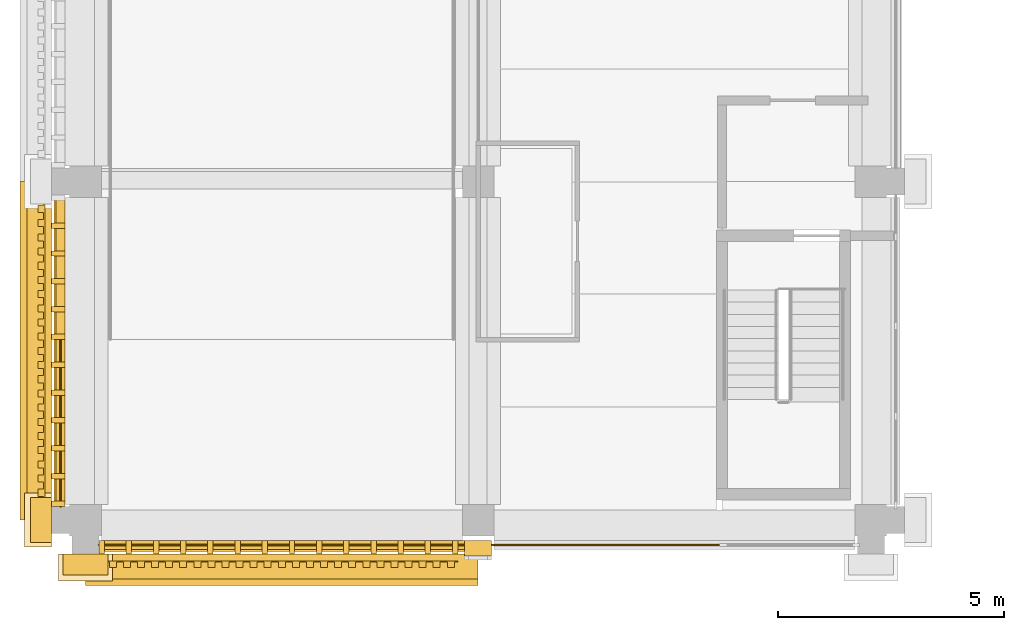
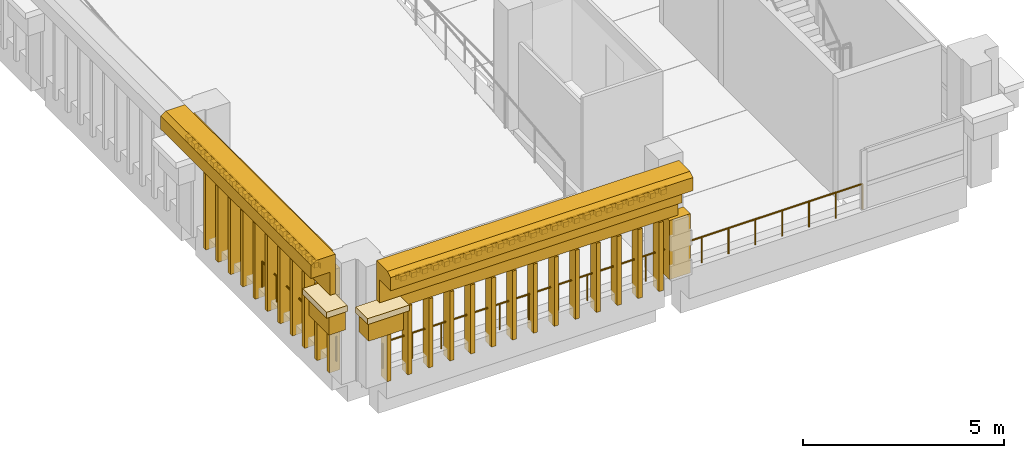
# One storey, part 12 of 25: 36 coverings, 3 railings.
"""IFC4 building model written with IfcOpenShell, lengths in metres."""

from ifc_helpers import new_model, si_unit, direction, frame, origin, origin_2d, place, context, subcontext, project, spatial, polyline, circle, outline, extrude, material, layer, layer_set, type_object, element, save


model = new_model("IFC4")

# Units and contexts
model_context = context("Model", 3, precision=1e-05, world=origin(), true_north=direction((0.0, 1.0)))
body_context = subcontext(model_context, "Body", "Model", "MODEL_VIEW")
ifc_project = project(units=[si_unit("LENGTHUNIT", "METRE"), si_unit("AREAUNIT", "SQUARE_METRE"), si_unit("VOLUMEUNIT", "CUBIC_METRE"), si_unit("PLANEANGLEUNIT", "RADIAN"), si_unit("MASSUNIT", "GRAM", prefix="KILO")], contexts=[model_context])

# Site, building, storey
site_placement = place(None, origin())
site = spatial("IfcSite", under=ifc_project, at=site_placement, CompositionType="ELEMENT")
building_placement = place(site_placement, origin())
building = spatial("IfcBuilding", under=site, at=building_placement, Name="Cour d'Honneur Mobility Palace", CompositionType="ELEMENT")
storey_placement = place(building_placement, frame((0.0, 0.0, 30.39990234375)))
storey = spatial("IfcBuildingStorey", under=building, at=storey_placement, Name="L08", CompositionType="ELEMENT", Elevation=30.39990234375)

# Railings
ifc_material_1 = material(Name="Painted steel", Category="steel")
railing_type = type_object("IfcRailingType", Name="Balustrade", PredefinedType="BALUSTRADE", material=ifc_material_1)
railing_1_placement = place(storey_placement, frame((0.300048828125, -0.550048828125, 0.300048828125)))
element("IfcRailing", 1, at=railing_1_placement, inside=storey, type_object=railing_type, Name="Balustrade BAL-388", PredefinedType="BALUSTRADE", context=body_context, shape_type="SweptSolid", body=[
    extrude(circle(Radius=0.02392578125, at=origin_2d()), frame((0.0, 0.0, 0.77587890625), z_axis=(1.0, 0.0, 0.0), x_axis=(0.0, 1.0, 0.0)), (0.0, 0.0, 1.0), 8.39990234375),
    extrude(circle(Radius=0.02099609375, at=origin_2d()), origin(), (0.0, 0.0, 1.0), 0.751953125),
    extrude(circle(Radius=0.02099609375, at=origin_2d()), frame((0.840087890625, 0.0, 0.0)), (0.0, 0.0, 1.0), 0.751953125),
    extrude(circle(Radius=0.02099609375, at=origin_2d()), frame((1.679931640625, 0.0, 0.0)), (0.0, 0.0, 1.0), 0.751953125),
    extrude(circle(Radius=0.02099609375, at=origin_2d()), frame((2.52001953125, 0.0, 0.0)), (0.0, 0.0, 1.0), 0.751953125),
    extrude(circle(Radius=0.02099609375, at=origin_2d()), frame((3.35986328125, 0.0, 0.0)), (0.0, 0.0, 1.0), 0.751953125),
    extrude(circle(Radius=0.02099609375, at=origin_2d()), frame((4.199951171875, 0.0, 0.0)), (0.0, 0.0, 1.0), 0.751953125),
    extrude(circle(Radius=0.02099609375, at=origin_2d()), frame((5.0400390625, 0.0, 0.0)), (0.0, 0.0, 1.0), 0.751953125),
    extrude(circle(Radius=0.02099609375, at=origin_2d()), frame((5.8798828125, 0.0, 0.0)), (0.0, 0.0, 1.0), 0.751953125),
    extrude(circle(Radius=0.02099609375, at=origin_2d()), frame((6.719970703125, 0.0, 0.0)), (0.0, 0.0, 1.0), 0.751953125),
    extrude(circle(Radius=0.02099609375, at=origin_2d()), frame((7.559814453125, 0.0, 0.0)), (0.0, 0.0, 1.0), 0.751953125),
    extrude(circle(Radius=0.02099609375, at=origin_2d()), frame((8.39990234375, 0.0, 0.0)), (0.0, 0.0, 1.0), 0.751953125),
])
railing_2_placement = place(storey_placement, frame((8.699951171875, -0.550048828125, 0.300048828125)))
element("IfcRailing", 2, at=railing_2_placement, inside=storey, type_object=railing_type, Name="Balustrade BAL-389", PredefinedType="BALUSTRADE", context=body_context, shape_type="SweptSolid", body=[
    extrude(circle(Radius=0.02392578125, at=origin_2d()), frame((0.0, 0.0, 0.77587890625), z_axis=(1.0, 0.0, 0.0), x_axis=(0.0, 1.0, 0.0)), (0.0, 0.0, 1.0), 5.400146484375),
    extrude(circle(Radius=0.02099609375, at=origin_2d()), origin(), (0.0, 0.0, 1.0), 0.751953125),
    extrude(circle(Radius=0.02099609375, at=origin_2d()), frame((0.771484375, 0.0, 0.0)), (0.0, 0.0, 1.0), 0.751953125),
    extrude(circle(Radius=0.02099609375, at=origin_2d()), frame((1.54296875, 0.0, 0.0)), (0.0, 0.0, 1.0), 0.751953125),
    extrude(circle(Radius=0.02099609375, at=origin_2d()), frame((2.314453125, 0.0, 0.0)), (0.0, 0.0, 1.0), 0.751953125),
    extrude(circle(Radius=0.02099609375, at=origin_2d()), frame((3.085693359375, 0.0, 0.0)), (0.0, 0.0, 1.0), 0.751953125),
    extrude(circle(Radius=0.02099609375, at=origin_2d()), frame((3.857177734375, 0.0, 0.0)), (0.0, 0.0, 1.0), 0.751953125),
    extrude(circle(Radius=0.02099609375, at=origin_2d()), frame((4.628662109375, 0.0, 0.0)), (0.0, 0.0, 1.0), 0.751953125),
    extrude(circle(Radius=0.02099609375, at=origin_2d()), frame((5.400146484375, 0.0, 0.0)), (0.0, 0.0, 1.0), 0.751953125),
])
railing_3_placement = place(storey_placement, frame((-0.550048828125, 4.0, 0.300048828125)))
element("IfcRailing", 3, at=railing_3_placement, inside=storey, type_object=railing_type, Name="Balustrade BAL-399", PredefinedType="BALUSTRADE", context=body_context, shape_type="SweptSolid", body=[
    extrude(circle(Radius=0.02392578125, at=origin_2d()), frame((0.0, 0.0, 0.77587890625), z_axis=(0.0, -1.0, 0.0), x_axis=(1.0, 0.0, 0.0)), (0.0, 0.0, 1.0), 3.699951171875),
    extrude(circle(Radius=0.02099609375, at=origin_2d()), origin(), (0.0, 0.0, 1.0), 0.751953125),
    extrude(circle(Radius=0.02099609375, at=origin_2d()), frame((0.0, -0.739990234375, 0.0)), (0.0, 0.0, 1.0), 0.751953125),
    extrude(circle(Radius=0.02099609375, at=origin_2d()), frame((0.0, -1.47998046875, 0.0)), (0.0, 0.0, 1.0), 0.751953125),
    extrude(circle(Radius=0.02099609375, at=origin_2d()), frame((0.0, -2.219970703125, 0.0)), (0.0, 0.0, 1.0), 0.751953125),
    extrude(circle(Radius=0.02099609375, at=origin_2d()), frame((0.0, -2.9599609375, 0.0)), (0.0, 0.0, 1.0), 0.751953125),
    extrude(circle(Radius=0.02099609375, at=origin_2d()), frame((0.0, -3.699951171875, 0.0)), (0.0, 0.0, 1.0), 0.751953125),
])

# Coverings
ifc_material_2 = material(Name="Cast limestone", Category="masonry")
ifc_layer_1 = layer(ifc_material_2, 0.14990234375)
ifc_layer_set_1 = layer_set([ifc_layer_1], Name="Cast limestone")
covering_type_1 = type_object("IfcCoveringType", Name="Dentil course", PredefinedType="CLADDING", material=ifc_layer_set_1)
covering_1_placement = place(storey_placement, frame((0.0, 0.0, 3.150146484375)))
element("IfcCovering", 4, at=covering_1_placement, inside=storey, type_object=covering_type_1, Name="Dentil course DC-124", PredefinedType="CLADDING", context=body_context, shape_type="SweptSolid", body=[
    extrude(outline(polyline([(0.449951171875, -0.89990234375), (8.25, -0.89990234375), (8.25, -0.929931640625), (8.25, -0.929931640625), (8.172119140625, -0.929931640625), (8.172119140625, -1.050048828125), (8.01611328125, -1.050048828125), (8.01611328125, -0.929931640625), (7.93798828125, -0.929931640625), (7.93798828125, -0.929931640625), (7.860107421875, -0.929931640625), (7.860107421875, -1.050048828125), (7.7041015625, -1.050048828125), (7.7041015625, -0.929931640625), (7.6259765625, -0.929931640625), (7.6259765625, -0.929931640625), (7.548095703125, -0.929931640625), (7.548095703125, -1.050048828125), (7.39208984375, -1.050048828125), (7.39208984375, -0.929931640625), (7.31396484375, -0.929931640625), (7.31396484375, -0.929931640625), (7.236083984375, -0.929931640625), (7.236083984375, -1.050048828125), (7.080078125, -1.050048828125), (7.080078125, -0.929931640625), (7.001953125, -0.929931640625), (7.001953125, -0.929931640625), (6.924072265625, -0.929931640625), (6.924072265625, -1.050048828125), (6.76806640625, -1.050048828125), (6.76806640625, -0.929931640625), (6.68994140625, -0.929931640625), (6.68994140625, -0.929931640625), (6.612060546875, -0.929931640625), (6.612060546875, -1.050048828125), (6.4560546875, -1.050048828125), (6.4560546875, -0.929931640625), (6.3779296875, -0.929931640625), (6.3779296875, -0.929931640625), (6.300048828125, -0.929931640625), (6.300048828125, -1.050048828125), (6.14404296875, -1.050048828125), (6.14404296875, -0.929931640625), (6.06591796875, -0.929931640625), (6.06591796875, -0.929931640625), (5.988037109375, -0.929931640625), (5.988037109375, -1.050048828125), (5.83203125, -1.050048828125), (5.83203125, -0.929931640625), (5.75390625, -0.929931640625), (5.75390625, -0.929931640625), (5.676025390625, -0.929931640625), (5.676025390625, -1.050048828125), (5.52001953125, -1.050048828125), (5.52001953125, -0.929931640625), (5.44189453125, -0.929931640625), (5.44189453125, -0.929931640625), (5.364013671875, -0.929931640625), (5.364013671875, -1.050048828125), (5.2080078125, -1.050048828125), (5.2080078125, -0.929931640625), (5.1298828125, -0.929931640625), (5.1298828125, -0.929931640625), (5.052001953125, -0.929931640625), (5.052001953125, -1.050048828125), (4.89599609375, -1.050048828125), (4.89599609375, -0.929931640625), (4.818115234375, -0.929931640625), (4.818115234375, -0.929931640625), (4.739990234375, -0.929931640625), (4.739990234375, -1.050048828125), (4.583984375, -1.050048828125), (4.583984375, -0.929931640625), (4.506103515625, -0.929931640625), (4.506103515625, -0.929931640625), (4.427978515625, -0.929931640625), (4.427978515625, -1.050048828125), (4.27197265625, -1.050048828125), (4.27197265625, -0.929931640625), (4.194091796875, -0.929931640625), (4.194091796875, -0.929931640625), (4.115966796875, -0.929931640625), (4.115966796875, -1.050048828125), (3.9599609375, -1.050048828125), (3.9599609375, -0.929931640625), (3.882080078125, -0.929931640625), (3.882080078125, -0.929931640625), (3.803955078125, -0.929931640625), (3.803955078125, -1.050048828125), (3.64794921875, -1.050048828125), (3.64794921875, -0.929931640625), (3.570068359375, -0.929931640625), (3.570068359375, -0.929931640625), (3.491943359375, -0.929931640625), (3.491943359375, -1.050048828125), (3.3359375, -1.050048828125), (3.3359375, -0.929931640625), (3.258056640625, -0.929931640625), (3.258056640625, -0.929931640625), (3.179931640625, -0.929931640625), (3.179931640625, -1.050048828125), (3.02392578125, -1.050048828125), (3.02392578125, -0.929931640625), (2.946044921875, -0.929931640625), (2.946044921875, -0.929931640625), (2.867919921875, -0.929931640625), (2.867919921875, -1.050048828125), (2.7119140625, -1.050048828125), (2.7119140625, -0.929931640625), (2.634033203125, -0.929931640625), (2.634033203125, -0.929931640625), (2.555908203125, -0.929931640625), (2.555908203125, -1.050048828125), (2.39990234375, -1.050048828125), (2.39990234375, -0.929931640625), (2.322021484375, -0.929931640625), (2.322021484375, -0.929931640625), (2.243896484375, -0.929931640625), (2.243896484375, -1.050048828125), (2.087890625, -1.050048828125), (2.087890625, -0.929931640625), (2.010009765625, -0.929931640625), (2.010009765625, -0.929931640625), (1.931884765625, -0.929931640625), (1.931884765625, -1.050048828125), (1.77587890625, -1.050048828125), (1.77587890625, -0.929931640625), (1.697998046875, -0.929931640625), (1.697998046875, -0.929931640625), (1.6201171875, -0.929931640625), (1.6201171875, -1.050048828125), (1.464111328125, -1.050048828125), (1.464111328125, -0.929931640625), (1.385986328125, -0.929931640625), (1.385986328125, -0.929931640625), (1.30810546875, -0.929931640625), (1.30810546875, -1.050048828125), (1.152099609375, -1.050048828125), (1.152099609375, -0.929931640625), (1.073974609375, -0.929931640625), (1.073974609375, -0.929931640625), (0.99609375, -0.929931640625), (0.99609375, -1.050048828125), (0.840087890625, -1.050048828125), (0.840087890625, -0.929931640625), (0.761962890625, -0.929931640625), (0.761962890625, -0.929931640625), (0.68408203125, -0.929931640625), (0.68408203125, -1.050048828125), (0.528076171875, -1.050048828125), (0.528076171875, -0.929931640625), (0.449951171875, -0.929931640625), (0.449951171875, -0.89990234375)])), origin(), (0.0, 0.0, 1.0), 0.14990234375),
])
covering_2_placement = place(storey_placement, frame((0.0, 0.0, 3.150146484375)))
element("IfcCovering", 5, at=covering_2_placement, inside=storey, type_object=covering_type_1, Name="Dentil course DC-132", PredefinedType="CLADDING", context=body_context, shape_type="SweptSolid", body=[
    extrude(outline(polyline([(-0.89990234375, 7.050048828125), (-0.89990234375, 0.449951171875), (-0.929931640625, 0.449951171875), (-0.929931640625, 0.449951171875), (-0.929931640625, 0.528564453125), (-1.050048828125, 0.528564453125), (-1.050048828125, 0.685791015625), (-0.929931640625, 0.685791015625), (-0.929931640625, 0.764404296875), (-0.929931640625, 0.764404296875), (-0.929931640625, 0.8427734375), (-1.050048828125, 0.8427734375), (-1.050048828125, 1.0), (-0.929931640625, 1.0), (-0.929931640625, 1.07861328125), (-0.929931640625, 1.07861328125), (-0.929931640625, 1.1572265625), (-1.050048828125, 1.1572265625), (-1.050048828125, 1.314208984375), (-0.929931640625, 1.314208984375), (-0.929931640625, 1.392822265625), (-0.929931640625, 1.392822265625), (-0.929931640625, 1.471435546875), (-1.050048828125, 1.471435546875), (-1.050048828125, 1.628662109375), (-0.929931640625, 1.628662109375), (-0.929931640625, 1.70703125), (-0.929931640625, 1.70703125), (-0.929931640625, 1.78564453125), (-1.050048828125, 1.78564453125), (-1.050048828125, 1.94287109375), (-0.929931640625, 1.94287109375), (-0.929931640625, 2.021484375), (-0.929931640625, 2.021484375), (-0.929931640625, 2.10009765625), (-1.050048828125, 2.10009765625), (-1.050048828125, 2.257080078125), (-0.929931640625, 2.257080078125), (-0.929931640625, 2.335693359375), (-0.929931640625, 2.335693359375), (-0.929931640625, 2.414306640625), (-1.050048828125, 2.414306640625), (-1.050048828125, 2.571533203125), (-0.929931640625, 2.571533203125), (-0.929931640625, 2.64990234375), (-0.929931640625, 2.64990234375), (-0.929931640625, 2.728515625), (-1.050048828125, 2.728515625), (-1.050048828125, 2.8857421875), (-0.929931640625, 2.8857421875), (-0.929931640625, 2.96435546875), (-0.929931640625, 2.96435546875), (-0.929931640625, 3.04296875), (-1.050048828125, 3.04296875), (-1.050048828125, 3.199951171875), (-0.929931640625, 3.199951171875), (-0.929931640625, 3.278564453125), (-0.929931640625, 3.278564453125), (-0.929931640625, 3.357177734375), (-1.050048828125, 3.357177734375), (-1.050048828125, 3.514404296875), (-0.929931640625, 3.514404296875), (-0.929931640625, 3.5927734375), (-0.929931640625, 3.5927734375), (-0.929931640625, 3.67138671875), (-1.050048828125, 3.67138671875), (-1.050048828125, 3.82861328125), (-0.929931640625, 3.82861328125), (-0.929931640625, 3.9072265625), (-0.929931640625, 3.9072265625), (-0.929931640625, 3.985595703125), (-1.050048828125, 3.985595703125), (-1.050048828125, 4.142822265625), (-0.929931640625, 4.142822265625), (-0.929931640625, 4.221435546875), (-0.929931640625, 4.221435546875), (-0.929931640625, 4.300048828125), (-1.050048828125, 4.300048828125), (-1.050048828125, 4.45703125), (-0.929931640625, 4.45703125), (-0.929931640625, 4.53564453125), (-0.929931640625, 4.53564453125), (-0.929931640625, 4.6142578125), (-1.050048828125, 4.6142578125), (-1.050048828125, 4.771484375), (-0.929931640625, 4.771484375), (-0.929931640625, 4.85009765625), (-0.929931640625, 4.85009765625), (-0.929931640625, 4.928466796875), (-1.050048828125, 4.928466796875), (-1.050048828125, 5.085693359375), (-0.929931640625, 5.085693359375), (-0.929931640625, 5.164306640625), (-0.929931640625, 5.164306640625), (-0.929931640625, 5.242919921875), (-1.050048828125, 5.242919921875), (-1.050048828125, 5.39990234375), (-0.929931640625, 5.39990234375), (-0.929931640625, 5.478515625), (-0.929931640625, 5.478515625), (-0.929931640625, 5.55712890625), (-1.050048828125, 5.55712890625), (-1.050048828125, 5.71435546875), (-0.929931640625, 5.71435546875), (-0.929931640625, 5.79296875), (-0.929931640625, 5.79296875), (-0.929931640625, 5.871337890625), (-1.050048828125, 5.871337890625), (-1.050048828125, 6.028564453125), (-0.929931640625, 6.028564453125), (-0.929931640625, 6.107177734375), (-0.929931640625, 6.107177734375), (-0.929931640625, 6.185791015625), (-1.050048828125, 6.185791015625), (-1.050048828125, 6.3427734375), (-0.929931640625, 6.3427734375), (-0.929931640625, 6.42138671875), (-0.929931640625, 6.42138671875), (-0.929931640625, 6.5), (-1.050048828125, 6.5), (-1.050048828125, 6.6572265625), (-0.929931640625, 6.6572265625), (-0.929931640625, 6.735595703125), (-0.929931640625, 6.735595703125), (-0.929931640625, 6.814208984375), (-1.050048828125, 6.814208984375), (-1.050048828125, 6.971435546875), (-0.929931640625, 6.971435546875), (-0.929931640625, 7.050048828125), (-0.89990234375, 7.050048828125)])), origin(), (0.0, 0.0, 1.0), 0.14990234375),
])
ifc_material_3 = material(Name="Cast limestone", Category="masonry")
ifc_layer_2 = layer(ifc_material_3, 0.699951171875)
ifc_layer_set_2 = layer_set([ifc_layer_2], Name="Cast limestone")
covering_type_2 = type_object("IfcCoveringType", Name="Entablature", PredefinedType="CLADDING", material=ifc_layer_set_2)
covering_3_placement = place(storey_placement, frame((0.0, -0.75, 2.60009765625), z_axis=(-1.0, 0.0, 0.0), x_axis=(0.0, -1.0, 0.0)))
element("IfcCovering", 6, at=covering_3_placement, inside=storey, type_object=covering_type_2, Name="Entablature EN-124", PredefinedType="CLADDING", context=body_context, shape_type="SweptSolid", body=[
    extrude(outline(polyline([(0.0, 0.0), (0.14990234375, 0.0), (0.14990234375, 0.699951171875), (0.699951171875, 0.699951171875), (0.699951171875, 1.10009765625), (0.550048828125, 1.199951171875), (0.0, 1.199951171875), (0.0, 0.0)])), origin(), (0.0, 0.0, -1.0), 8.699951171875),
])
covering_4_placement = place(storey_placement, frame((-0.75, 7.5, 2.60009765625), z_axis=(0.0, 1.0, 0.0), x_axis=(-1.0, 0.0, 0.0)))
element("IfcCovering", 7, at=covering_4_placement, inside=storey, type_object=covering_type_2, Name="Entablature EN-132", PredefinedType="CLADDING", context=body_context, shape_type="SweptSolid", body=[
    extrude(outline(polyline([(0.0, 0.0), (0.14990234375, 0.0), (0.14990234375, 0.699951171875), (0.699951171875, 0.699951171875), (0.699951171875, 1.10009765625), (0.550048828125, 1.199951171875), (0.0, 1.199951171875), (0.0, 0.0)])), origin(), (0.0, 0.0, -1.0), 7.5),
])
ifc_material_4 = material(Name="Cast limestone", Category="masonry")
ifc_layer_3 = layer(ifc_material_4, 0.35009765625)
ifc_layer_set_3 = layer_set([ifc_layer_3], Name="Cast limestone")
covering_type_3 = type_object("IfcCoveringType", Name="Pier pilaster", PredefinedType="CLADDING", material=ifc_layer_set_3)
covering_5_placement = place(storey_placement, frame((0.0, 0.0, 0.300048828125)))
element("IfcCovering", 8, at=covering_5_placement, inside=storey, type_object=covering_type_3, Name="Pier pilaster PN-15", PredefinedType="CLADDING", context=body_context, shape_type="SweptSolid", body=[
    extrude(outline(polyline([(8.39990234375, -0.449951171875), (9.0, -0.449951171875), (9.0, -0.800048828125), (8.39990234375, -0.800048828125), (8.39990234375, -0.449951171875)])), origin(), (0.0, 0.0, 1.0), 1.800048828125),
])
ifc_material_5 = material(Name="Cast limestone", Category="masonry")
ifc_layer_4 = layer(ifc_material_5, 0.1201171875)
ifc_layer_set_4 = layer_set([ifc_layer_4], Name="Cast limestone")
covering_type_4 = type_object("IfcCoveringType", Name="Pilaster capital", PredefinedType="CLADDING", material=ifc_layer_set_4)
covering_6_placement = place(storey_placement, frame((0.0, 0.0, 1.800048828125)))
element("IfcCovering", 9, at=covering_6_placement, inside=storey, type_object=covering_type_4, Name="Pilaster capital PK-1", PredefinedType="CLADDING", context=body_context, shape_type="SweptSolid", body=[
    extrude(outline(polyline([(-0.5, -0.75), (0.5, -0.75), (0.5, -1.219970703125), (-0.5, -1.219970703125), (-0.5, -0.75)])), origin(), (0.0, 0.0, 1.0), 0.6201171875),
])
covering_7_placement = place(storey_placement, frame((0.0, 0.0, 2.420166015625)))
element("IfcCovering", 10, at=covering_7_placement, inside=storey, type_object=covering_type_4, Name="Pilaster capital PK-2", PredefinedType="CLADDING", context=body_context, shape_type="SweptSolid", body=[
    extrude(outline(polyline([(-0.60009765625, -0.75), (0.60009765625, -0.75), (0.60009765625, -1.35009765625), (-0.60009765625, -1.35009765625), (-0.60009765625, -0.75)])), origin(), (0.0, 0.0, 1.0), 0.179931640625),
])
covering_8_placement = place(storey_placement, frame((0.0, 0.0, 1.800048828125)))
element("IfcCovering", 11, at=covering_8_placement, inside=storey, type_object=covering_type_4, Name="Pilaster capital PK-207", PredefinedType="CLADDING", context=body_context, shape_type="SweptSolid", body=[
    extrude(outline(polyline([(-0.75, 0.5), (-0.75, -0.5), (-1.219970703125, -0.5), (-1.219970703125, 0.5), (-0.75, 0.5)])), origin(), (0.0, 0.0, 1.0), 0.6201171875),
])
covering_9_placement = place(storey_placement, frame((0.0, 0.0, 2.420166015625)))
element("IfcCovering", 12, at=covering_9_placement, inside=storey, type_object=covering_type_4, Name="Pilaster capital PK-208", PredefinedType="CLADDING", context=body_context, shape_type="SweptSolid", body=[
    extrude(outline(polyline([(-0.75, 0.60009765625), (-0.75, -0.60009765625), (-1.35009765625, -0.60009765625), (-1.35009765625, 0.60009765625), (-0.75, 0.60009765625)])), origin(), (0.0, 0.0, 1.0), 0.179931640625),
])
ifc_material_6 = material(Name="Cast limestone", Category="masonry")
ifc_layer_5 = layer(ifc_material_6, 0.1201171875)
ifc_layer_set_5 = layer_set([ifc_layer_5], Name="Cast limestone")
covering_type_5 = type_object("IfcCoveringType", Name="Ramp screen fin", PredefinedType="CLADDING", material=ifc_layer_set_5)
covering_10_placement = place(storey_placement, origin())
element("IfcCovering", 13, at=covering_10_placement, inside=storey, type_object=covering_type_5, Name="Ramp screen fin S0.0 L08 1", PredefinedType="CLADDING", context=body_context, shape_type="SweptSolid", body=[
    extrude(outline(polyline([(0.300048828125, -0.449951171875), (0.419921875, -0.449951171875), (0.419921875, -0.75), (0.300048828125, -0.75), (0.300048828125, -0.449951171875)])), origin(), (0.0, 0.0, 1.0), 2.10009765625),
])
covering_11_placement = place(storey_placement, origin())
element("IfcCovering", 14, at=covering_11_placement, inside=storey, type_object=covering_type_5, Name="Ramp screen fin S0.0 L08 2", PredefinedType="CLADDING", context=body_context, shape_type="SweptSolid", body=[
    extrude(outline(polyline([(0.90234375, -0.449951171875), (1.022216796875, -0.449951171875), (1.022216796875, -0.75), (0.90234375, -0.75), (0.90234375, -0.449951171875)])), origin(), (0.0, 0.0, 1.0), 2.10009765625),
])
covering_12_placement = place(storey_placement, origin())
element("IfcCovering", 15, at=covering_12_placement, inside=storey, type_object=covering_type_5, Name="Ramp screen fin S0.0 L08 3", PredefinedType="CLADDING", context=body_context, shape_type="SweptSolid", body=[
    extrude(outline(polyline([(1.504638671875, -0.449951171875), (1.62451171875, -0.449951171875), (1.62451171875, -0.75), (1.504638671875, -0.75), (1.504638671875, -0.449951171875)])), origin(), (0.0, 0.0, 1.0), 2.10009765625),
])
covering_13_placement = place(storey_placement, origin())
element("IfcCovering", 16, at=covering_13_placement, inside=storey, type_object=covering_type_5, Name="Ramp screen fin S0.0 L08 4", PredefinedType="CLADDING", context=body_context, shape_type="SweptSolid", body=[
    extrude(outline(polyline([(2.10693359375, -0.449951171875), (2.226806640625, -0.449951171875), (2.226806640625, -0.75), (2.10693359375, -0.75), (2.10693359375, -0.449951171875)])), origin(), (0.0, 0.0, 1.0), 2.10009765625),
])
covering_14_placement = place(storey_placement, origin())
element("IfcCovering", 17, at=covering_14_placement, inside=storey, type_object=covering_type_5, Name="Ramp screen fin S0.0 L08 5", PredefinedType="CLADDING", context=body_context, shape_type="SweptSolid", body=[
    extrude(outline(polyline([(2.709228515625, -0.449951171875), (2.829345703125, -0.449951171875), (2.829345703125, -0.75), (2.709228515625, -0.75), (2.709228515625, -0.449951171875)])), origin(), (0.0, 0.0, 1.0), 2.10009765625),
])
covering_15_placement = place(storey_placement, origin())
element("IfcCovering", 18, at=covering_15_placement, inside=storey, type_object=covering_type_5, Name="Ramp screen fin S0.0 L08 6", PredefinedType="CLADDING", context=body_context, shape_type="SweptSolid", body=[
    extrude(outline(polyline([(3.3115234375, -0.449951171875), (3.431640625, -0.449951171875), (3.431640625, -0.75), (3.3115234375, -0.75), (3.3115234375, -0.449951171875)])), origin(), (0.0, 0.0, 1.0), 2.10009765625),
])
covering_16_placement = place(storey_placement, origin())
element("IfcCovering", 19, at=covering_16_placement, inside=storey, type_object=covering_type_5, Name="Ramp screen fin S0.0 L08 7", PredefinedType="CLADDING", context=body_context, shape_type="SweptSolid", body=[
    extrude(outline(polyline([(3.913818359375, -0.449951171875), (4.033935546875, -0.449951171875), (4.033935546875, -0.75), (3.913818359375, -0.75), (3.913818359375, -0.449951171875)])), origin(), (0.0, 0.0, 1.0), 2.10009765625),
])
covering_17_placement = place(storey_placement, origin())
element("IfcCovering", 20, at=covering_17_placement, inside=storey, type_object=covering_type_5, Name="Ramp screen fin S0.0 L08 8", PredefinedType="CLADDING", context=body_context, shape_type="SweptSolid", body=[
    extrude(outline(polyline([(4.51611328125, -0.449951171875), (4.63623046875, -0.449951171875), (4.63623046875, -0.75), (4.51611328125, -0.75), (4.51611328125, -0.449951171875)])), origin(), (0.0, 0.0, 1.0), 2.10009765625),
])
covering_18_placement = place(storey_placement, origin())
element("IfcCovering", 21, at=covering_18_placement, inside=storey, type_object=covering_type_5, Name="Ramp screen fin S0.0 L08 9", PredefinedType="CLADDING", context=body_context, shape_type="SweptSolid", body=[
    extrude(outline(polyline([(5.118408203125, -0.449951171875), (5.238525390625, -0.449951171875), (5.238525390625, -0.75), (5.118408203125, -0.75), (5.118408203125, -0.449951171875)])), origin(), (0.0, 0.0, 1.0), 2.10009765625),
])
covering_19_placement = place(storey_placement, origin())
element("IfcCovering", 22, at=covering_19_placement, inside=storey, type_object=covering_type_5, Name="Ramp screen fin S0.0 L08 10", PredefinedType="CLADDING", context=body_context, shape_type="SweptSolid", body=[
    extrude(outline(polyline([(5.720703125, -0.449951171875), (5.8408203125, -0.449951171875), (5.8408203125, -0.75), (5.720703125, -0.75), (5.720703125, -0.449951171875)])), origin(), (0.0, 0.0, 1.0), 2.10009765625),
])
covering_20_placement = place(storey_placement, origin())
element("IfcCovering", 23, at=covering_20_placement, inside=storey, type_object=covering_type_5, Name="Ramp screen fin S0.0 L08 11", PredefinedType="CLADDING", context=body_context, shape_type="SweptSolid", body=[
    extrude(outline(polyline([(6.322998046875, -0.449951171875), (6.443115234375, -0.449951171875), (6.443115234375, -0.75), (6.322998046875, -0.75), (6.322998046875, -0.449951171875)])), origin(), (0.0, 0.0, 1.0), 2.10009765625),
])
covering_21_placement = place(storey_placement, origin())
element("IfcCovering", 24, at=covering_21_placement, inside=storey, type_object=covering_type_5, Name="Ramp screen fin S0.0 L08 12", PredefinedType="CLADDING", context=body_context, shape_type="SweptSolid", body=[
    extrude(outline(polyline([(6.92529296875, -0.449951171875), (7.04541015625, -0.449951171875), (7.04541015625, -0.75), (6.92529296875, -0.75), (6.92529296875, -0.449951171875)])), origin(), (0.0, 0.0, 1.0), 2.10009765625),
])
covering_22_placement = place(storey_placement, origin())
element("IfcCovering", 25, at=covering_22_placement, inside=storey, type_object=covering_type_5, Name="Ramp screen fin S0.0 L08 13", PredefinedType="CLADDING", context=body_context, shape_type="SweptSolid", body=[
    extrude(outline(polyline([(7.527587890625, -0.449951171875), (7.647705078125, -0.449951171875), (7.647705078125, -0.75), (7.527587890625, -0.75), (7.527587890625, -0.449951171875)])), origin(), (0.0, 0.0, 1.0), 2.10009765625),
])
covering_23_placement = place(storey_placement, origin())
element("IfcCovering", 26, at=covering_23_placement, inside=storey, type_object=covering_type_5, Name="Ramp screen fin S0.0 L08 14", PredefinedType="CLADDING", context=body_context, shape_type="SweptSolid", body=[
    extrude(outline(polyline([(8.1298828125, -0.449951171875), (8.25, -0.449951171875), (8.25, -0.75), (8.1298828125, -0.75), (8.1298828125, -0.449951171875)])), origin(), (0.0, 0.0, 1.0), 2.10009765625),
])
covering_24_placement = place(storey_placement, origin())
element("IfcCovering", 27, at=covering_24_placement, inside=storey, type_object=covering_type_5, Name="Ramp screen fin W3.6 L08 2", PredefinedType="CLADDING", context=body_context, shape_type="SweptSolid", body=[
    extrude(outline(polyline([(-0.449951171875, 6.583740234375), (-0.449951171875, 6.463623046875), (-0.75, 6.463623046875), (-0.75, 6.583740234375), (-0.449951171875, 6.583740234375)])), origin(), (0.0, 0.0, 1.0), 2.300048828125),
])
covering_25_placement = place(storey_placement, origin())
element("IfcCovering", 28, at=covering_25_placement, inside=storey, type_object=covering_type_5, Name="Ramp screen fin W3.6 L08 3", PredefinedType="CLADDING", context=body_context, shape_type="SweptSolid", body=[
    extrude(outline(polyline([(-0.449951171875, 5.96728515625), (-0.449951171875, 5.84716796875), (-0.75, 5.84716796875), (-0.75, 5.96728515625), (-0.449951171875, 5.96728515625)])), origin(), (0.0, 0.0, 1.0), 2.300048828125),
])
covering_26_placement = place(storey_placement, origin())
element("IfcCovering", 29, at=covering_26_placement, inside=storey, type_object=covering_type_5, Name="Ramp screen fin W3.6 L08 4", PredefinedType="CLADDING", context=body_context, shape_type="SweptSolid", body=[
    extrude(outline(polyline([(-0.449951171875, 5.350830078125), (-0.449951171875, 5.23095703125), (-0.75, 5.23095703125), (-0.75, 5.350830078125), (-0.449951171875, 5.350830078125)])), origin(), (0.0, 0.0, 1.0), 2.300048828125),
])
covering_27_placement = place(storey_placement, origin())
element("IfcCovering", 30, at=covering_27_placement, inside=storey, type_object=covering_type_5, Name="Ramp screen fin W3.6 L08 5", PredefinedType="CLADDING", context=body_context, shape_type="SweptSolid", body=[
    extrude(outline(polyline([(-0.449951171875, 4.734619140625), (-0.449951171875, 4.614501953125), (-0.75, 4.614501953125), (-0.75, 4.734619140625), (-0.449951171875, 4.734619140625)])), origin(), (0.0, 0.0, 1.0), 2.300048828125),
])
covering_28_placement = place(storey_placement, origin())
element("IfcCovering", 31, at=covering_28_placement, inside=storey, type_object=covering_type_5, Name="Ramp screen fin W3.6 L08 6", PredefinedType="CLADDING", context=body_context, shape_type="SweptSolid", body=[
    extrude(outline(polyline([(-0.449951171875, 4.1181640625), (-0.449951171875, 3.998291015625), (-0.75, 3.998291015625), (-0.75, 4.1181640625), (-0.449951171875, 4.1181640625)])), origin(), (0.0, 0.0, 1.0), 2.300048828125),
])
covering_29_placement = place(storey_placement, origin())
element("IfcCovering", 32, at=covering_29_placement, inside=storey, type_object=covering_type_5, Name="Ramp screen fin W3.6 L08 7", PredefinedType="CLADDING", context=body_context, shape_type="SweptSolid", body=[
    extrude(outline(polyline([(-0.449951171875, 3.501708984375), (-0.449951171875, 3.3818359375), (-0.75, 3.3818359375), (-0.75, 3.501708984375), (-0.449951171875, 3.501708984375)])), origin(), (0.0, 0.0, 1.0), 2.300048828125),
])
covering_30_placement = place(storey_placement, origin())
element("IfcCovering", 33, at=covering_30_placement, inside=storey, type_object=covering_type_5, Name="Ramp screen fin W3.6 L08 8", PredefinedType="CLADDING", context=body_context, shape_type="SweptSolid", body=[
    extrude(outline(polyline([(-0.449951171875, 2.885498046875), (-0.449951171875, 2.765380859375), (-0.75, 2.765380859375), (-0.75, 2.885498046875), (-0.449951171875, 2.885498046875)])), origin(), (0.0, 0.0, 1.0), 2.300048828125),
])
covering_31_placement = place(storey_placement, origin())
element("IfcCovering", 34, at=covering_31_placement, inside=storey, type_object=covering_type_5, Name="Ramp screen fin W3.6 L08 9", PredefinedType="CLADDING", context=body_context, shape_type="SweptSolid", body=[
    extrude(outline(polyline([(-0.449951171875, 2.26904296875), (-0.449951171875, 2.149169921875), (-0.75, 2.149169921875), (-0.75, 2.26904296875), (-0.449951171875, 2.26904296875)])), origin(), (0.0, 0.0, 1.0), 2.300048828125),
])
covering_32_placement = place(storey_placement, origin())
element("IfcCovering", 35, at=covering_32_placement, inside=storey, type_object=covering_type_5, Name="Ramp screen fin W3.6 L08 10", PredefinedType="CLADDING", context=body_context, shape_type="SweptSolid", body=[
    extrude(outline(polyline([(-0.449951171875, 1.65283203125), (-0.449951171875, 1.53271484375), (-0.75, 1.53271484375), (-0.75, 1.65283203125), (-0.449951171875, 1.65283203125)])), origin(), (0.0, 0.0, 1.0), 2.300048828125),
])
covering_33_placement = place(storey_placement, origin())
element("IfcCovering", 36, at=covering_33_placement, inside=storey, type_object=covering_type_5, Name="Ramp screen fin W3.6 L08 11", PredefinedType="CLADDING", context=body_context, shape_type="SweptSolid", body=[
    extrude(outline(polyline([(-0.449951171875, 1.036376953125), (-0.449951171875, 0.916259765625), (-0.75, 0.916259765625), (-0.75, 1.036376953125), (-0.449951171875, 1.036376953125)])), origin(), (0.0, 0.0, 1.0), 2.300048828125),
])
covering_34_placement = place(storey_placement, origin())
element("IfcCovering", 37, at=covering_34_placement, inside=storey, type_object=covering_type_5, Name="Ramp screen fin W3.6 L08 12", PredefinedType="CLADDING", context=body_context, shape_type="SweptSolid", body=[
    extrude(outline(polyline([(-0.449951171875, 0.419921875), (-0.449951171875, 0.300048828125), (-0.75, 0.300048828125), (-0.75, 0.419921875), (-0.449951171875, 0.419921875)])), origin(), (0.0, 0.0, 1.0), 2.300048828125),
])
ifc_material_7 = material(Name="Cast limestone", Category="masonry")
ifc_layer_6 = layer(ifc_material_7, 0.25)
ifc_layer_set_6 = layer_set([ifc_layer_6], Name="Cast limestone")
covering_type_6 = type_object("IfcCoveringType", Name="Spandrel cladding", PredefinedType="CLADDING", material=ifc_layer_set_6)
covering_35_placement = place(storey_placement, frame((0.300048828125, -0.449951171875, 2.10009765625), z_axis=(-1.0, 0.0, 0.0), x_axis=(0.0, -1.0, 0.0)))
element("IfcCovering", 38, at=covering_35_placement, inside=storey, type_object=covering_type_6, Name="Spandrel cladding SK-391", PredefinedType="CLADDING", context=body_context, shape_type="SweptSolid", body=[
    extrude(outline(polyline([(0.0, 0.0), (0.25, 0.0), (0.25, 1.60009765625), (0.199951171875, 1.60009765625), (0.199951171875, 1.0), (0.0, 1.0), (0.0, 0.0)])), origin(), (0.0, 0.0, -1.0), 8.39990234375),
])
covering_36_placement = place(storey_placement, frame((-0.449951171875, 7.199951171875, 2.300048828125), z_axis=(0.0, 1.0, 0.0), x_axis=(-1.0, 0.0, 0.0)))
element("IfcCovering", 39, at=covering_36_placement, inside=storey, type_object=covering_type_6, Name="Spandrel cladding SK-399", PredefinedType="CLADDING", context=body_context, shape_type="SweptSolid", body=[
    extrude(outline(polyline([(0.0, 0.0), (0.25, 0.0), (0.25, 1.400146484375), (0.199951171875, 1.400146484375), (0.199951171875, 0.800048828125), (0.0, 0.800048828125), (0.0, 0.0)])), origin(), (0.0, 0.0, -1.0), 6.89990234375),
])

save(model, "model.ifc")
